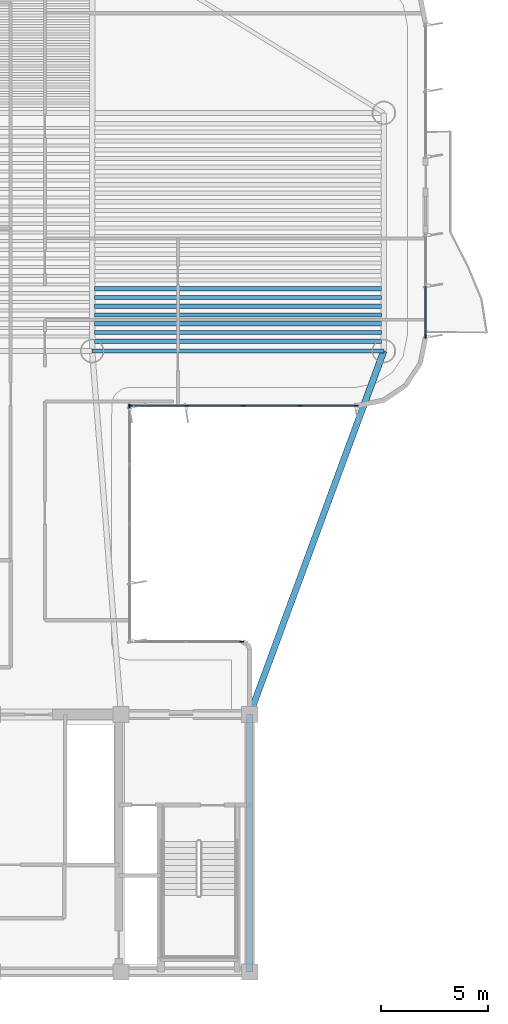
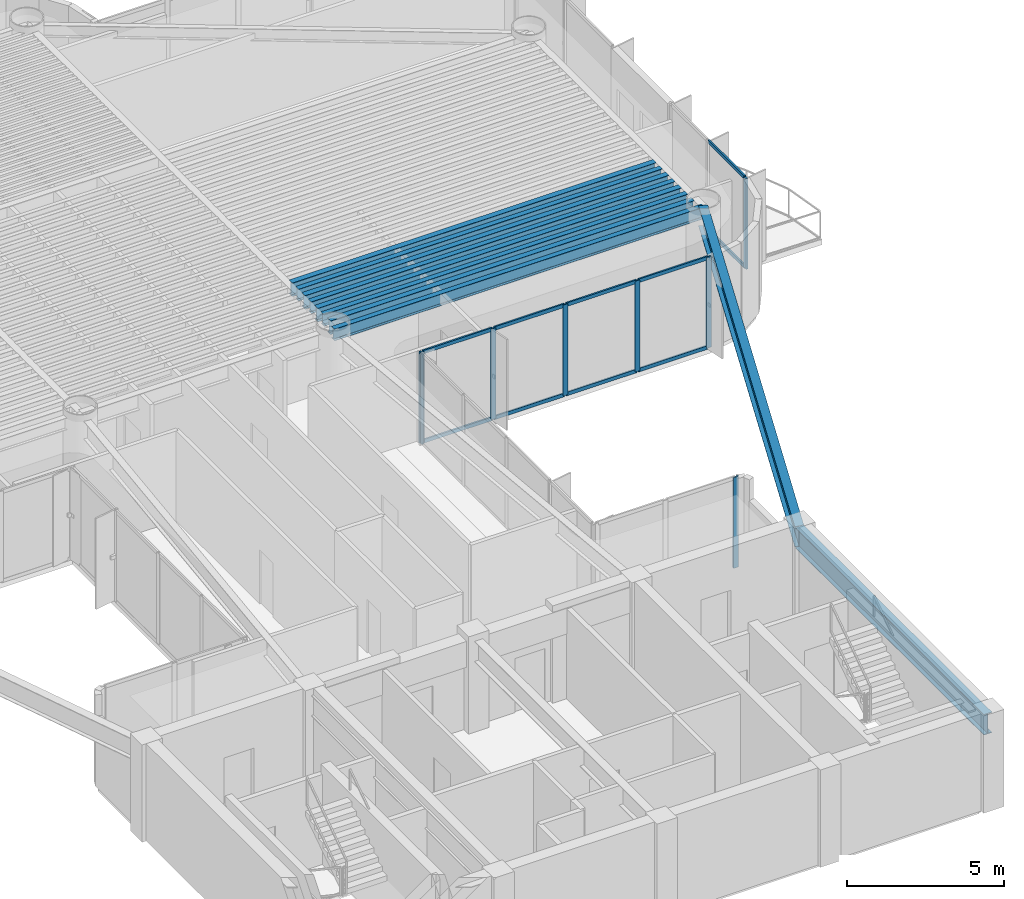
# One storey, part 4 of 14: 18 members, 10 beams, 4 elements without a shape of their own.
"""IFC4 building model written with IfcOpenShell, lengths in metres."""

from ifc_helpers import new_model, si_unit, direction, frame, origin, origin_2d, place, context, subcontext, project, spatial, rectangle, i_section, extrude, source, transform, mapped, material, layer, layer_set, material_profile, profile_set, type_object, element, aggregate, save


model = new_model("IFC4")

# Units and contexts
model_context = context("Model", 3, precision=1e-05, world=origin(), true_north=direction((0.0, 1.0)))
body_context = subcontext(model_context, "Body", "Model", "MODEL_VIEW")
ifc_project = project(units=[si_unit("LENGTHUNIT", "METRE"), si_unit("AREAUNIT", "SQUARE_METRE"), si_unit("VOLUMEUNIT", "CUBIC_METRE"), si_unit("PLANEANGLEUNIT", "RADIAN"), si_unit("MASSUNIT", "GRAM", prefix="KILO")], contexts=[model_context])

# Site, building, storey
site_placement = place(None, origin())
site = spatial("IfcSite", under=ifc_project, at=site_placement, CompositionType="ELEMENT")
building_placement = place(site_placement, origin())
building = spatial("IfcBuilding", under=site, at=building_placement, Name="Brelvock Crest Care Tower", CompositionType="ELEMENT")
storey_placement = place(building_placement, frame((0.0, 0.0, 179.10009765625)))
storey = spatial("IfcBuildingStorey", under=building, at=storey_placement, Name="L45", CompositionType="ELEMENT", Elevation=179.10009765625)

# Beams
ifc_material_1 = material(Name="Steel Grade 350", Category="steel")
ifc_material_profile_1 = material_profile(ifc_material_1, i_section(OverallWidth=0.300048828125, OverallDepth=0.800048828125, WebThickness=0.013916015625, FlangeThickness=0.02197265625, at=origin_2d()), Name="800WB192")
ifc_profile_set_1 = profile_set([ifc_material_profile_1], Name="Steel Grade 350")
beam_type_1 = type_object("IfcBeamType", Name="BM-G5", PredefinedType="BEAM", material=ifc_profile_set_1)
shared_shape_1 = source(origin(), body_context, "Body", "SweptSolid", [
    extrude(i_section(OverallWidth=0.300048828125, OverallDepth=0.800048828125, WebThickness=0.013916015625, FlangeThickness=0.02197265625, at=origin_2d()), origin(), (0.0, 0.0, 1.0), 12.0),
])
beam_1_placement = place(storey_placement, frame((48.0, 6.0, 3.1298828125), z_axis=(0.0, 1.0, 0.0), x_axis=(-1.0, 0.0, 0.0)))
element("IfcBeam", 1, at=beam_1_placement, inside=storey, type_object=beam_type_1, Name="BM-COREX-L45-5", PredefinedType="BEAM", context=body_context, shape_type="MappedRepresentation", body=[
    mapped(shared_shape_1, transform((0.0, 0.0, 0.0), x_axis=(1.0, 0.0, 0.0), y_axis=(0.0, 1.0, 0.0), z_axis=(0.0, 0.0, 1.0), scale=1.0)),
])
ifc_material_profile_2 = material_profile(ifc_material_1, i_section(OverallWidth=0.208984375, OverallDepth=0.532958984375, WebThickness=0.01025390625, FlangeThickness=0.015625, FilletRadius=0.013916015625, at=origin_2d()), Name="530UB92.4")
ifc_profile_set_2 = profile_set([ifc_material_profile_2], Name="Steel Grade 350")
beam_type_2 = type_object("IfcBeamType", Name="BM-G2", PredefinedType="BEAM", material=ifc_profile_set_2)
shared_shape_2 = source(origin(), body_context, "Body", "SweptSolid", [
    extrude(i_section(OverallWidth=0.208984375, OverallDepth=0.532958984375, WebThickness=0.01025390625, FlangeThickness=0.015625, FilletRadius=0.013916015625, at=origin_2d()), origin(), (0.0, 0.0, 1.0), 13.3701171875),
])
for number, where, z_axis, x_axis, name in (
    (2, (40.764892578125, 35.416259765625, 3.263427734375), (1.0, 0.0, 0.0), (0.0, 1.0, 0.0), "BM-JE-L45-1"),
    (3, (40.764892578125, 36.2265625, 3.263427734375), (1.0, 0.0, 0.0), (0.0, 1.0, 0.0), "BM-JE-L45-3"),
    (4, (40.764892578125, 37.036865234375, 3.263427734375), (1.0, 0.0, 0.0), (0.0, 1.0, 0.0), "BM-JE-L45-5"),
    (5, (40.764892578125, 37.84716796875, 3.263427734375), (1.0, 0.0, 0.0), (0.0, 1.0, 0.0), "BM-JE-L45-7"),
):
    element("IfcBeam", number, at=place(storey_placement, frame(where, z_axis=z_axis, x_axis=x_axis)), inside=storey, type_object=beam_type_2, Name=name, PredefinedType="BEAM", context=body_context, shape_type="MappedRepresentation", body=[
        mapped(shared_shape_2, transform((0.0, 0.0, 0.0), x_axis=(1.0, 0.0, 0.0), y_axis=(0.0, 1.0, 0.0), z_axis=(0.0, 0.0, 1.0), scale=1.0)),
    ])
ifc_material_profile_3 = material_profile(ifc_material_1, i_section(OverallWidth=0.19091796875, OverallDepth=0.4599609375, WebThickness=0.010009765625, FlangeThickness=0.01611328125, FilletRadius=0.011474609375, at=origin_2d()), Name="460UB82.1")
ifc_profile_set_3 = profile_set([ifc_material_profile_3], Name="Steel Grade 350")
beam_type_3 = type_object("IfcBeamType", Name="BM-G3", PredefinedType="BEAM", material=ifc_profile_set_3)
shared_shape_3 = source(origin(), body_context, "Body", "SweptSolid", [
    extrude(i_section(OverallWidth=0.19091796875, OverallDepth=0.4599609375, WebThickness=0.010009765625, FlangeThickness=0.01611328125, FilletRadius=0.011474609375, at=origin_2d()), origin(), (0.0, 0.0, 1.0), 13.3701171875),
])
for number, where, z_axis, x_axis, name in (
    (6, (40.764892578125, 35.8212890625, 3.2998046875), (1.0, 0.0, 0.0), (0.0, 1.0, 0.0), "BM-JE-L45-2"),
    (7, (40.764892578125, 36.631591796875, 3.2998046875), (1.0, 0.0, 0.0), (0.0, 1.0, 0.0), "BM-JE-L45-4"),
    (8, (40.764892578125, 37.44189453125, 3.2998046875), (1.0, 0.0, 0.0), (0.0, 1.0, 0.0), "BM-JE-L45-6"),
):
    element("IfcBeam", number, at=place(storey_placement, frame(where, z_axis=z_axis, x_axis=x_axis)), inside=storey, type_object=beam_type_3, Name=name, PredefinedType="BEAM", context=body_context, shape_type="MappedRepresentation", body=[
        mapped(shared_shape_3, transform((0.0, 0.0, 0.0), x_axis=(1.0, 0.0, 0.0), y_axis=(0.0, 1.0, 0.0), z_axis=(0.0, 0.0, 1.0), scale=1.0)),
    ])
ifc_material_profile_4 = material_profile(ifc_material_1, i_section(OverallWidth=0.19091796875, OverallDepth=0.4599609375, WebThickness=0.010009765625, FlangeThickness=0.01611328125, FilletRadius=0.011474609375, at=origin_2d()), Name="460UB82.1")
ifc_profile_set_4 = profile_set([ifc_material_profile_4], Name="Steel Grade 350")
beam_type_4 = type_object("IfcBeamType", Name="BM-SP2", PredefinedType="SPANDREL", material=ifc_profile_set_4)
shared_shape_4 = source(origin(), body_context, "Body", "SweptSolid", [
    extrude(i_section(OverallWidth=0.19091796875, OverallDepth=0.4599609375, WebThickness=0.010009765625, FlangeThickness=0.01611328125, FilletRadius=0.011474609375, at=origin_2d()), origin(), (0.0, 0.0, 1.0), 13.60009765625),
])
beam_2_placement = place(storey_placement, frame((40.64990234375, 34.949951171875, 3.2998046875), z_axis=(1.0, 0.0, 0.0), x_axis=(0.0, 1.0, 0.0)))
element("IfcBeam", 9, at=beam_2_placement, inside=storey, type_object=beam_type_4, Name="BM-TWR-L45-04", PredefinedType="SPANDREL", context=body_context, shape_type="MappedRepresentation", body=[
    mapped(shared_shape_4, transform((0.0, 0.0, 0.0), x_axis=(1.0, 0.0, 0.0), y_axis=(0.0, 1.0, 0.0), z_axis=(0.0, 0.0, 1.0), scale=1.0)),
])
shared_shape_5 = source(origin(), body_context, "Body", "SweptSolid", [
    extrude(i_section(OverallWidth=0.300048828125, OverallDepth=0.800048828125, WebThickness=0.013916015625, FlangeThickness=0.02197265625, at=origin_2d()), origin(), (0.0, 0.0, 1.0), 18.0654296875),
])
beam_3_placement = place(storey_placement, frame((48.0, 18.0, 3.1298828125), z_axis=(0.345962741309, 0.938248251597, 0.0), x_axis=(-0.938248251597, 0.345962741309, 0.0)))
element("IfcBeam", 10, at=beam_3_placement, inside=storey, type_object=beam_type_1, Name="BM-THRO-E-L45", PredefinedType="BEAM", context=body_context, shape_type="MappedRepresentation", body=[
    mapped(shared_shape_5, transform((0.0, 0.0, 0.0), x_axis=(1.0, 0.0, 0.0), y_axis=(0.0, 1.0, 0.0), z_axis=(0.0, 0.0, 1.0), scale=1.0)),
])

# Curtain wall, member
ifc_material_2 = material(Name="Dark Glass Double Glazed Low-E", Category="glass")
ifc_layer = layer(ifc_material_2, 0.22509765625, Name="CWS-4")
ifc_layer_set = layer_set([ifc_layer], Name="Dark Glass Double Glazed Low-E")
curtain_wall_type = type_object("IfcCurtainWallType", Name="CWS-4", PredefinedType="NOTDEFINED", material=ifc_layer_set)
curtain_wall_1_placement = place(storey_placement, origin())
curtain_wall_1 = element("IfcCurtainWall", 11, at=curtain_wall_1_placement, inside=storey, type_object=curtain_wall_type, Name="L45 Curtain Wall E39B", PredefinedType="NOTDEFINED")
ifc_material_3 = material(Name="Aluminium 6063-T6", Category="aluminium")
ifc_material_profile_5 = material_profile(ifc_material_3, rectangle(XDim=0.06005859375, YDim=0.179931640625, at=origin_2d()), Name="ALU60x180")
ifc_profile_set_5 = profile_set([ifc_material_profile_5], Name="Aluminium 6063-T6")
member_type_1 = type_object("IfcMemberType", Name="CWM-2", PredefinedType="MULLION", material=ifc_profile_set_5)
shared_shape_6 = source(origin(), body_context, "Body", "SweptSolid", [
    extrude(rectangle(XDim=0.06005859375, YDim=0.179931640625, at=origin_2d()), origin(), (0.0, 0.0, 1.0), 3.52978515625),
])
member_1_placement = place(storey_placement, frame((56.199951171875, 35.6298828125, 0.0), z_axis=(0.0, 0.0, 1.0), x_axis=(1.0, 0.0, 0.0)))
member_1 = element("IfcMember", 12, at=member_1_placement, type_object=member_type_1, Name="CW-4 mullion 3", PredefinedType="MULLION", context=body_context, shape_type="MappedRepresentation", body=[
    mapped(shared_shape_6, transform((0.0, 0.0, 0.0), x_axis=(1.0, 0.0, 0.0), y_axis=(0.0, 1.0, 0.0), z_axis=(0.0, 0.0, 1.0), scale=1.0)),
])

# Curtain wall, members
curtain_wall_2_placement = place(storey_placement, origin())
curtain_wall_2 = element("IfcCurtainWall", 13, at=curtain_wall_2_placement, inside=storey, type_object=curtain_wall_type, Name="L45 Curtain Wall E44", PredefinedType="NOTDEFINED")
member_2_placement = place(storey_placement, frame((52.969970703125, 32.39990234375, 0.0), z_axis=(0.0, 0.0, 1.0), x_axis=(0.0, -1.0, 0.0)))
member_2 = element("IfcMember", 14, at=member_2_placement, type_object=member_type_1, Name="CW-4 mullion 1", PredefinedType="MULLION", context=body_context, shape_type="MappedRepresentation", body=[
    mapped(shared_shape_6, transform((0.0, 0.0, 0.0), x_axis=(1.0, 0.0, 0.0), y_axis=(0.0, 1.0, 0.0), z_axis=(0.0, 0.0, 1.0), scale=1.0)),
])
member_3_placement = place(storey_placement, frame((50.35009765625, 32.39990234375, 0.0), z_axis=(0.0, 0.0, 1.0), x_axis=(0.0, -1.0, 0.0)))
member_3 = element("IfcMember", 15, at=member_3_placement, type_object=member_type_1, Name="CW-4 mullion 2", PredefinedType="MULLION", context=body_context, shape_type="MappedRepresentation", body=[
    mapped(shared_shape_6, transform((0.0, 0.0, 0.0), x_axis=(1.0, 0.0, 0.0), y_axis=(0.0, 1.0, 0.0), z_axis=(0.0, 0.0, 1.0), scale=1.0)),
])
member_4_placement = place(storey_placement, frame((47.699951171875, 32.39990234375, 0.0), z_axis=(0.0, 0.0, 1.0), x_axis=(0.0, -1.0, 0.0)))
member_4 = element("IfcMember", 16, at=member_4_placement, type_object=member_type_1, Name="CW-4 mullion 3", PredefinedType="MULLION", context=body_context, shape_type="MappedRepresentation", body=[
    mapped(shared_shape_6, transform((0.0, 0.0, 0.0), x_axis=(1.0, 0.0, 0.0), y_axis=(0.0, 1.0, 0.0), z_axis=(0.0, 0.0, 1.0), scale=1.0)),
])
member_5_placement = place(storey_placement, frame((45.050048828125, 32.39990234375, 0.0), z_axis=(0.0, 0.0, 1.0), x_axis=(0.0, -1.0, 0.0)))
member_5 = element("IfcMember", 17, at=member_5_placement, type_object=member_type_1, Name="CW-4 mullion 4", PredefinedType="MULLION", context=body_context, shape_type="MappedRepresentation", body=[
    mapped(shared_shape_6, transform((0.0, 0.0, 0.0), x_axis=(1.0, 0.0, 0.0), y_axis=(0.0, 1.0, 0.0), z_axis=(0.0, 0.0, 1.0), scale=1.0)),
])
member_6_placement = place(storey_placement, frame((42.429931640625, 32.39990234375, 0.0), z_axis=(0.0, 0.0, 1.0), x_axis=(0.0, -1.0, 0.0)))
member_6 = element("IfcMember", 18, at=member_6_placement, type_object=member_type_1, Name="CW-4 mullion 5", PredefinedType="MULLION", context=body_context, shape_type="MappedRepresentation", body=[
    mapped(shared_shape_6, transform((0.0, 0.0, 0.0), x_axis=(1.0, 0.0, 0.0), y_axis=(0.0, 1.0, 0.0), z_axis=(0.0, 0.0, 1.0), scale=1.0)),
])

# Curtain wall, member
curtain_wall_3_placement = place(storey_placement, origin())
curtain_wall_3 = element("IfcCurtainWall", 19, at=curtain_wall_3_placement, inside=storey, type_object=curtain_wall_type, Name="L45 Curtain Wall E45", PredefinedType="NOTDEFINED")
member_7_placement = place(storey_placement, frame((42.39990234375, 32.3701171875, 0.0), z_axis=(0.0, 0.0, 1.0), x_axis=(1.0, 0.0, 0.0)))
member_7 = element("IfcMember", 20, at=member_7_placement, type_object=member_type_1, Name="CW-4 mullion 1", PredefinedType="MULLION", context=body_context, shape_type="MappedRepresentation", body=[
    mapped(shared_shape_6, transform((0.0, 0.0, 0.0), x_axis=(1.0, 0.0, 0.0), y_axis=(0.0, 1.0, 0.0), z_axis=(0.0, 0.0, 1.0), scale=1.0)),
])
aggregate(curtain_wall_3, [member_7])

curtain_wall_4_placement = place(storey_placement, origin())
curtain_wall_4 = element("IfcCurtainWall", 21, at=curtain_wall_4_placement, inside=storey, type_object=curtain_wall_type, Name="L45 Curtain Wall E46", PredefinedType="NOTDEFINED")
member_8_placement = place(storey_placement, frame((47.6201171875, 21.39990234375, 0.0), z_axis=(0.0, 0.0, 1.0), x_axis=(0.0, 1.0, 0.0)))
member_8 = element("IfcMember", 22, at=member_8_placement, type_object=member_type_1, Name="CW-4 mullion 3", PredefinedType="MULLION", context=body_context, shape_type="MappedRepresentation", body=[
    mapped(shared_shape_6, transform((0.0, 0.0, 0.0), x_axis=(1.0, 0.0, 0.0), y_axis=(0.0, 1.0, 0.0), z_axis=(0.0, 0.0, 1.0), scale=1.0)),
])
aggregate(curtain_wall_4, [member_8])

# Member
ifc_material_profile_6 = material_profile(ifc_material_3, rectangle(XDim=0.06005859375, YDim=0.139892578125, at=origin_2d()), Name="ALU60x140")
ifc_profile_set_6 = profile_set([ifc_material_profile_6], Name="Aluminium 6063-T6")
member_type_2 = type_object("IfcMemberType", Name="CWT-2", PredefinedType="USERDEFINED", material=ifc_profile_set_6)
shared_shape_7 = source(origin(), body_context, "Body", "SweptSolid", [
    extrude(rectangle(XDim=0.06005859375, YDim=0.139892578125, at=origin_2d()), origin(), (0.0, 0.0, 1.0), 2.56005859375),
])
member_9_placement = place(storey_placement, frame((52.93994140625, 32.39990234375, 0.02978515625), z_axis=(-1.0, 0.0, 0.0), x_axis=(0.0, -1.0, 0.0)))
member_9 = element("IfcMember", 23, at=member_9_placement, type_object=member_type_2, Name="CW-4 transom 1.1", ObjectType="TRANSOM", PredefinedType="USERDEFINED", context=body_context, shape_type="MappedRepresentation", body=[
    mapped(shared_shape_7, transform((0.0, 0.0, 0.0), x_axis=(1.0, 0.0, 0.0), y_axis=(0.0, 1.0, 0.0), z_axis=(0.0, 0.0, 1.0), scale=1.0)),
])

member_10_placement = place(storey_placement, frame((52.93994140625, 32.39990234375, 3.5), z_axis=(-1.0, 0.0, 0.0), x_axis=(0.0, -1.0, 0.0)))
member_10 = element("IfcMember", 24, at=member_10_placement, type_object=member_type_2, Name="CW-4 transom 1.2", ObjectType="TRANSOM", PredefinedType="USERDEFINED", context=body_context, shape_type="MappedRepresentation", body=[
    mapped(shared_shape_7, transform((0.0, 0.0, 0.0), x_axis=(1.0, 0.0, 0.0), y_axis=(0.0, 1.0, 0.0), z_axis=(0.0, 0.0, 1.0), scale=1.0)),
])

member_11_placement = place(storey_placement, frame((45.02001953125, 32.39990234375, 0.02978515625), z_axis=(-1.0, 0.0, 0.0), x_axis=(0.0, -1.0, 0.0)))
member_11 = element("IfcMember", 25, at=member_11_placement, type_object=member_type_2, Name="CW-4 transom 4.1", ObjectType="TRANSOM", PredefinedType="USERDEFINED", context=body_context, shape_type="MappedRepresentation", body=[
    mapped(shared_shape_7, transform((0.0, 0.0, 0.0), x_axis=(1.0, 0.0, 0.0), y_axis=(0.0, 1.0, 0.0), z_axis=(0.0, 0.0, 1.0), scale=1.0)),
])

member_12_placement = place(storey_placement, frame((45.02001953125, 32.39990234375, 3.5), z_axis=(-1.0, 0.0, 0.0), x_axis=(0.0, -1.0, 0.0)))
member_12 = element("IfcMember", 26, at=member_12_placement, type_object=member_type_2, Name="CW-4 transom 4.2", ObjectType="TRANSOM", PredefinedType="USERDEFINED", context=body_context, shape_type="MappedRepresentation", body=[
    mapped(shared_shape_7, transform((0.0, 0.0, 0.0), x_axis=(1.0, 0.0, 0.0), y_axis=(0.0, 1.0, 0.0), z_axis=(0.0, 0.0, 1.0), scale=1.0)),
])

shared_shape_8 = source(origin(), body_context, "Body", "SweptSolid", [
    extrude(rectangle(XDim=0.06005859375, YDim=0.139892578125, at=origin_2d()), origin(), (0.0, 0.0, 1.0), 2.58984375),
])
member_13_placement = place(storey_placement, frame((47.669921875, 32.39990234375, 0.02978515625), z_axis=(-1.0, 0.0, 0.0), x_axis=(0.0, -1.0, 0.0)))
member_13 = element("IfcMember", 27, at=member_13_placement, type_object=member_type_2, Name="CW-4 transom 3.1", ObjectType="TRANSOM", PredefinedType="USERDEFINED", context=body_context, shape_type="MappedRepresentation", body=[
    mapped(shared_shape_8, transform((0.0, 0.0, 0.0), x_axis=(1.0, 0.0, 0.0), y_axis=(0.0, 1.0, 0.0), z_axis=(0.0, 0.0, 1.0), scale=1.0)),
])

member_14_placement = place(storey_placement, frame((47.669921875, 32.39990234375, 3.5), z_axis=(-1.0, 0.0, 0.0), x_axis=(0.0, -1.0, 0.0)))
member_14 = element("IfcMember", 28, at=member_14_placement, type_object=member_type_2, Name="CW-4 transom 3.2", ObjectType="TRANSOM", PredefinedType="USERDEFINED", context=body_context, shape_type="MappedRepresentation", body=[
    mapped(shared_shape_8, transform((0.0, 0.0, 0.0), x_axis=(1.0, 0.0, 0.0), y_axis=(0.0, 1.0, 0.0), z_axis=(0.0, 0.0, 1.0), scale=1.0)),
])

shared_shape_9 = source(origin(), body_context, "Body", "SweptSolid", [
    extrude(rectangle(XDim=0.06005859375, YDim=0.139892578125, at=origin_2d()), origin(), (0.0, 0.0, 1.0), 2.590087890625),
])
member_15_placement = place(storey_placement, frame((50.320068359375, 32.39990234375, 0.02978515625), z_axis=(-1.0, 0.0, 0.0), x_axis=(0.0, -1.0, 0.0)))
member_15 = element("IfcMember", 29, at=member_15_placement, type_object=member_type_2, Name="CW-4 transom 2.1", ObjectType="TRANSOM", PredefinedType="USERDEFINED", context=body_context, shape_type="MappedRepresentation", body=[
    mapped(shared_shape_9, transform((0.0, 0.0, 0.0), x_axis=(1.0, 0.0, 0.0), y_axis=(0.0, 1.0, 0.0), z_axis=(0.0, 0.0, 1.0), scale=1.0)),
])

member_16_placement = place(storey_placement, frame((50.320068359375, 32.39990234375, 3.5), z_axis=(-1.0, 0.0, 0.0), x_axis=(0.0, -1.0, 0.0)))
member_16 = element("IfcMember", 30, at=member_16_placement, type_object=member_type_2, Name="CW-4 transom 2.2", ObjectType="TRANSOM", PredefinedType="USERDEFINED", context=body_context, shape_type="MappedRepresentation", body=[
    mapped(shared_shape_9, transform((0.0, 0.0, 0.0), x_axis=(1.0, 0.0, 0.0), y_axis=(0.0, 1.0, 0.0), z_axis=(0.0, 0.0, 1.0), scale=1.0)),
])

aggregate(curtain_wall_2, [member_2, member_3, member_4, member_5, member_6, member_9, member_10, member_15, member_16, member_13, member_14, member_11, member_12])

shared_shape_10 = source(origin(), body_context, "Body", "SweptSolid", [
    extrude(rectangle(XDim=0.06005859375, YDim=0.139892578125, at=origin_2d()), origin(), (0.0, 0.0, 1.0), 2.31005859375),
])
member_17_placement = place(storey_placement, frame((56.199951171875, 37.969970703125, 0.02978515625), z_axis=(0.0, -1.0, 0.0), x_axis=(1.0, 0.0, 0.0)))
member_17 = element("IfcMember", 31, at=member_17_placement, type_object=member_type_2, Name="CW-4 transom 2.1", ObjectType="TRANSOM", PredefinedType="USERDEFINED", context=body_context, shape_type="MappedRepresentation", body=[
    mapped(shared_shape_10, transform((0.0, 0.0, 0.0), x_axis=(1.0, 0.0, 0.0), y_axis=(0.0, 1.0, 0.0), z_axis=(0.0, 0.0, 1.0), scale=1.0)),
])

member_18_placement = place(storey_placement, frame((56.199951171875, 37.969970703125, 3.5), z_axis=(0.0, -1.0, 0.0), x_axis=(1.0, 0.0, 0.0)))
member_18 = element("IfcMember", 32, at=member_18_placement, type_object=member_type_2, Name="CW-4 transom 2.2", ObjectType="TRANSOM", PredefinedType="USERDEFINED", context=body_context, shape_type="MappedRepresentation", body=[
    mapped(shared_shape_10, transform((0.0, 0.0, 0.0), x_axis=(1.0, 0.0, 0.0), y_axis=(0.0, 1.0, 0.0), z_axis=(0.0, 0.0, 1.0), scale=1.0)),
])

aggregate(curtain_wall_1, [member_1, member_17, member_18])

save(model, "model.ifc")
